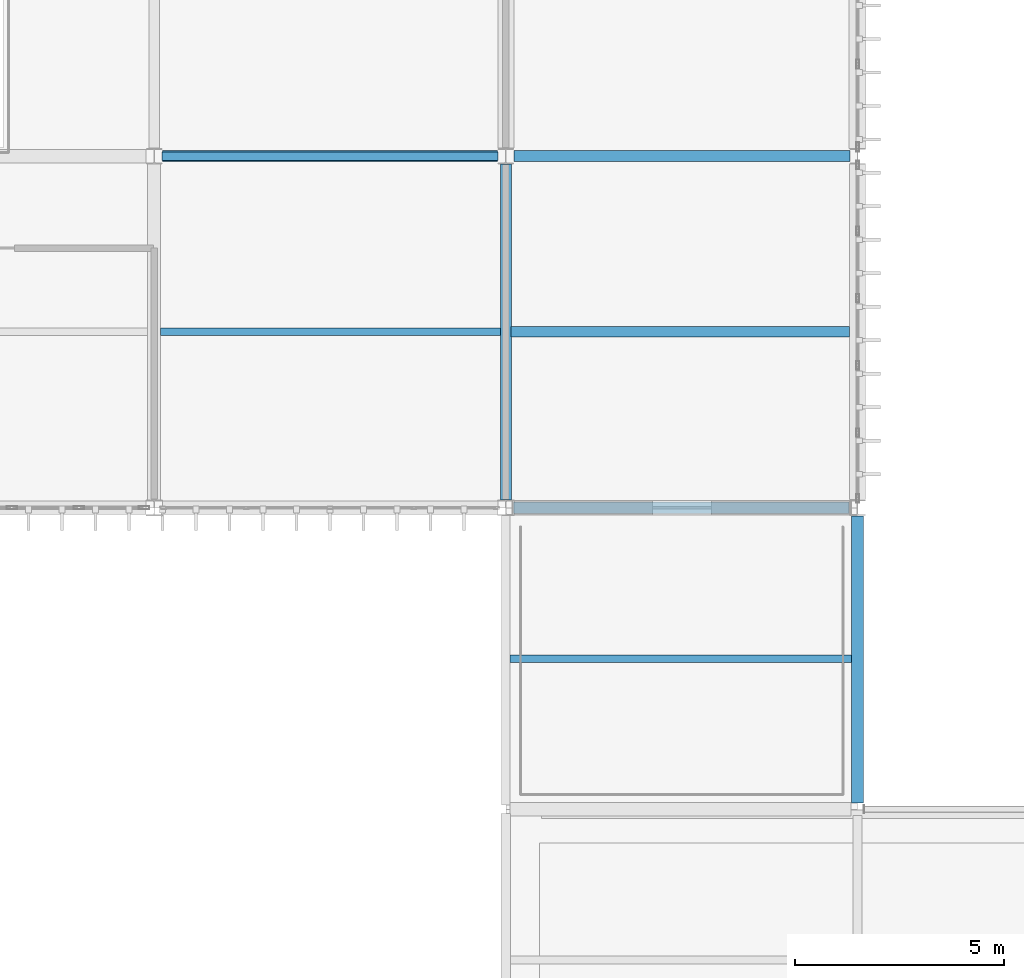
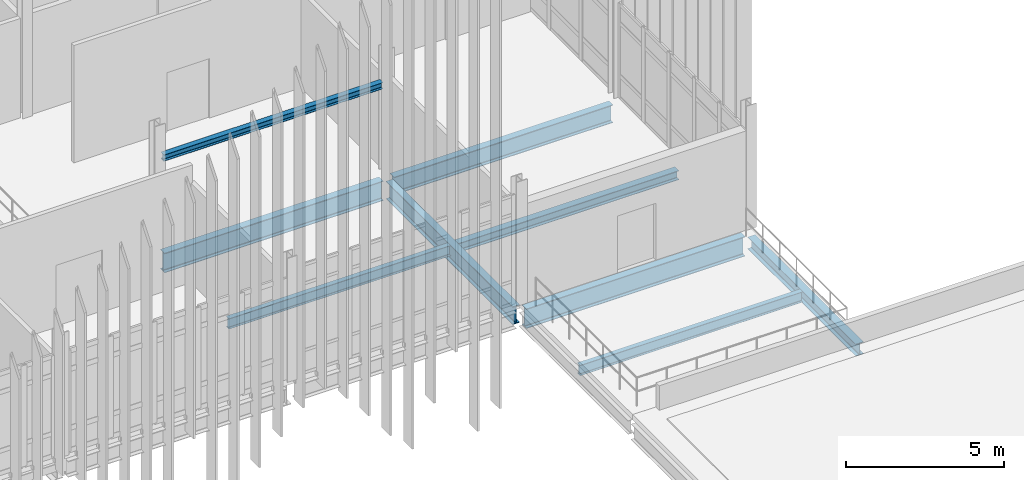
# One storey, part 36 of 153: 9 beams.
"""IFC4 building model written with IfcOpenShell, lengths in metres."""

from ifc_helpers import new_model, si_unit, direction, frame, origin, origin_2d, place, context, subcontext, project, spatial, i_section, extrude, material, material_profile, profile_set, type_object, element, save


model = new_model("IFC4")

# Units and contexts
model_context = context("Model", 3, precision=1e-05, world=origin(), true_north=direction((0.0, 1.0)))
body_context = subcontext(model_context, "Body", "Model", "MODEL_VIEW")
ifc_project = project(units=[si_unit("LENGTHUNIT", "METRE"), si_unit("AREAUNIT", "SQUARE_METRE"), si_unit("VOLUMEUNIT", "CUBIC_METRE"), si_unit("PLANEANGLEUNIT", "RADIAN"), si_unit("MASSUNIT", "GRAM", prefix="KILO")], contexts=[model_context])

# Site, building, storey
site_placement = place(None, origin())
site = spatial("IfcSite", under=ifc_project, at=site_placement, CompositionType="ELEMENT")
building_placement = place(site_placement, origin())
building = spatial("IfcBuilding", under=site, at=building_placement, Name="Calvrana Isthmian Art Gallery", CompositionType="ELEMENT")
storey_placement = place(building_placement, frame((0.0, 0.0, 10.199951171875)))
storey = spatial("IfcBuildingStorey", under=building, at=storey_placement, Name="L02", CompositionType="ELEMENT", Elevation=10.199951171875)

# Beams
ifc_material = material(Name="Steel ASTM A992 Gr 50", Category="steel")
ifc_material_profile_1 = material_profile(ifc_material, i_section(OverallWidth=0.279052734375, OverallDepth=0.4619140625, WebThickness=0.0107421875, FlangeThickness=0.017333984375, FilletRadius=0.02001953125, at=origin_2d()), Name="W18X76")
ifc_profile_set_1 = profile_set([ifc_material_profile_1], Name="Steel ASTM A992 Gr 50")
beam_type_1 = type_object("IfcBeamType", Name="BM-G-W18X76", PredefinedType="BEAM", material=ifc_profile_set_1)
beam_1_placement = place(storey_placement, frame((80.39990234375, 14.552490234375, -0.495849609375), z_axis=(0.0, 1.0, 0.0), x_axis=(-1.0, 0.0, 0.0)))
element("IfcBeam", 1, at=beam_1_placement, inside=storey, type_object=beam_type_1, Name="Girder Y L02 11/C-D", PredefinedType="BEAM", context=body_context, shape_type="SweptSolid", body=[
    extrude(i_section(OverallWidth=0.279052734375, OverallDepth=0.4619140625, WebThickness=0.0107421875, FlangeThickness=0.017333984375, FilletRadius=0.02001953125, at=origin_2d()), origin(), (0.0, 0.0, 1.0), 6.8544921875),
])
ifc_material_profile_2 = material_profile(ifc_material, i_section(OverallWidth=0.257080078125, OverallDepth=0.693115234375, WebThickness=0.014404296875, FlangeThickness=0.023681640625, FilletRadius=0.02392578125, at=origin_2d()), Name="W27X114")
ifc_profile_set_2 = profile_set([ifc_material_profile_2], Name="Steel ASTM A992 Gr 50")
beam_type_2 = type_object("IfcBeamType", Name="BM-G-W27X114", PredefinedType="BEAM", material=ifc_profile_set_2)
beam_2_placement = place(storey_placement, frame((72.197021484375, 30.0, -0.611572265625), z_axis=(1.0, 0.0, 0.0), x_axis=(0.0, 1.0, 0.0)))
element("IfcBeam", 2, at=beam_2_placement, inside=storey, type_object=beam_type_2, Name="Girder X L02 10-11/E", PredefinedType="BEAM", context=body_context, shape_type="SweptSolid", body=[
    extrude(i_section(OverallWidth=0.257080078125, OverallDepth=0.693115234375, WebThickness=0.014404296875, FlangeThickness=0.023681640625, FilletRadius=0.02392578125, at=origin_2d()), origin(), (0.0, 0.0, 1.0), 8.016357421875),
])
beam_3_placement = place(storey_placement, frame((72.0, 21.78662109375, -0.611572265625), z_axis=(0.0, 1.0, 0.0), x_axis=(-1.0, 0.0, 0.0)))
element("IfcBeam", 3, at=beam_3_placement, inside=storey, type_object=beam_type_2, Name="Girder Y L02 10/D-E", PredefinedType="BEAM", context=body_context, shape_type="SweptSolid", body=[
    extrude(i_section(OverallWidth=0.257080078125, OverallDepth=0.693115234375, WebThickness=0.014404296875, FlangeThickness=0.023681640625, FilletRadius=0.02392578125, at=origin_2d()), origin(), (0.0, 0.0, 1.0), 8.025390625),
])
ifc_material_profile_3 = material_profile(ifc_material, i_section(OverallWidth=0.26708984375, OverallDepth=0.761962890625, WebThickness=0.014404296875, FlangeThickness=0.021484375, FilletRadius=0.02490234375, at=origin_2d()), Name="W30X116")
ifc_profile_set_3 = profile_set([ifc_material_profile_3], Name="Steel ASTM A992 Gr 50")
beam_type_3 = type_object("IfcBeamType", Name="BM-G-W30X116", PredefinedType="BEAM", material=ifc_profile_set_3)
beam_4_placement = place(storey_placement, frame((72.1865234375, 21.60009765625, -0.64599609375), z_axis=(1.0, 0.0, 0.0), x_axis=(0.0, 1.0, 0.0)))
element("IfcBeam", 4, at=beam_4_placement, inside=storey, type_object=beam_type_3, Name="Girder X L02 10-11/D", PredefinedType="BEAM", context=body_context, shape_type="SweptSolid", body=[
    extrude(i_section(OverallWidth=0.26708984375, OverallDepth=0.761962890625, WebThickness=0.014404296875, FlangeThickness=0.021484375, FilletRadius=0.02490234375, at=origin_2d()), origin(), (0.0, 0.0, 1.0), 8.013916015625),
])
beam_5_placement = place(storey_placement, frame((63.798095703125, 30.0, -0.64599609375), z_axis=(1.0, 0.0, 0.0), x_axis=(0.0, 1.0, 0.0)))
element("IfcBeam", 5, at=beam_5_placement, inside=storey, type_object=beam_type_3, Name="Girder X L02 09-10/E", PredefinedType="BEAM", context=body_context, shape_type="SweptSolid", body=[
    extrude(i_section(OverallWidth=0.26708984375, OverallDepth=0.761962890625, WebThickness=0.014404296875, FlangeThickness=0.021484375, FilletRadius=0.02490234375, at=origin_2d()), origin(), (0.0, 0.0, 1.0), 8.0048828125),
])
ifc_material_profile_4 = material_profile(ifc_material, i_section(OverallWidth=0.25390625, OverallDepth=0.35302734375, WebThickness=0.009521484375, FlangeThickness=0.016357421875, FilletRadius=0.01806640625, at=origin_2d()), Name="W14X61")
ifc_profile_set_4 = profile_set([ifc_material_profile_4], Name="Steel ASTM A992 Gr 50")
beam_type_4 = type_object("IfcBeamType", Name="BM-J-W14X61", PredefinedType="JOIST", material=ifc_profile_set_4)
beam_6_placement = place(storey_placement, frame((72.12841796875, 25.800048828125, -0.44140625), z_axis=(1.0, 0.0, 0.0), x_axis=(0.0, 1.0, 0.0)))
element("IfcBeam", 6, at=beam_6_placement, inside=storey, type_object=beam_type_4, Name="Composite joist L02 bay 09-03", PredefinedType="JOIST", context=body_context, shape_type="SweptSolid", body=[
    extrude(i_section(OverallWidth=0.25390625, OverallDepth=0.35302734375, WebThickness=0.009521484375, FlangeThickness=0.016357421875, FilletRadius=0.01806640625, at=origin_2d()), origin(), (0.0, 0.0, 1.0), 8.0810546875),
])
ifc_material_profile_5 = material_profile(ifc_material, i_section(OverallWidth=0.177978515625, OverallDepth=0.404052734375, WebThickness=0.007568359375, FlangeThickness=0.010986328125, FilletRadius=0.01806640625, at=origin_2d()), Name="W16X36")
ifc_profile_set_5 = profile_set([ifc_material_profile_5], Name="Steel ASTM A992 Gr 50")
beam_type_5 = type_object("IfcBeamType", Name="BM-J-W16X36", PredefinedType="JOIST", material=ifc_profile_set_5)
beam_7_placement = place(storey_placement, frame((63.75341796875, 25.800048828125, -0.467041015625), z_axis=(1.0, 0.0, 0.0), x_axis=(0.0, 1.0, 0.0)))
element("IfcBeam", 7, at=beam_7_placement, inside=storey, type_object=beam_type_5, Name="Composite joist L02 bay 08-03", PredefinedType="JOIST", context=body_context, shape_type="SweptSolid", body=[
    extrude(i_section(OverallWidth=0.177978515625, OverallDepth=0.404052734375, WebThickness=0.007568359375, FlangeThickness=0.010986328125, FilletRadius=0.01806640625, at=origin_2d()), origin(), (0.0, 0.0, 1.0), 8.1181640625),
])
beam_8_placement = place(storey_placement, frame((72.1044921875, 18.0, -0.467041015625), z_axis=(1.0, 0.0, 0.0), x_axis=(0.0, 1.0, 0.0)))
element("IfcBeam", 8, at=beam_8_placement, inside=storey, type_object=beam_type_5, Name="Composite joist L02 bay 09-02", PredefinedType="JOIST", context=body_context, shape_type="SweptSolid", body=[
    extrude(i_section(OverallWidth=0.177978515625, OverallDepth=0.404052734375, WebThickness=0.007568359375, FlangeThickness=0.010986328125, FilletRadius=0.01806640625, at=origin_2d()), origin(), (0.0, 0.0, 1.0), 8.156005859375),
])
ifc_material_profile_6 = material_profile(ifc_material, i_section(OverallWidth=0.201904296875, OverallDepth=0.2470703125, WebThickness=0.00732421875, FlangeThickness=0.010986328125, FilletRadius=0.014892578125, at=origin_2d()), Name="W10X33")
ifc_profile_set_6 = profile_set([ifc_material_profile_6], Name="Steel ASTM A992 Gr 50")
beam_type_6 = type_object("IfcBeamType", Name="BM-LN-W10X33", PredefinedType="LINTEL", material=ifc_profile_set_6)
beam_9_placement = place(storey_placement, frame((63.78662109375, 30.0, 3.400146484375), z_axis=(1.0, 0.0, 0.0), x_axis=(0.0, 1.0, 0.0)))
element("IfcBeam", 9, at=beam_9_placement, inside=storey, type_object=beam_type_6, Name="Portal lintel beam L02-08", PredefinedType="LINTEL", context=body_context, shape_type="SweptSolid", body=[
    extrude(i_section(OverallWidth=0.201904296875, OverallDepth=0.2470703125, WebThickness=0.00732421875, FlangeThickness=0.010986328125, FilletRadius=0.014892578125, at=origin_2d()), origin(), (0.0, 0.0, 1.0), 8.02685546875),
])

save(model, "model.ifc")
